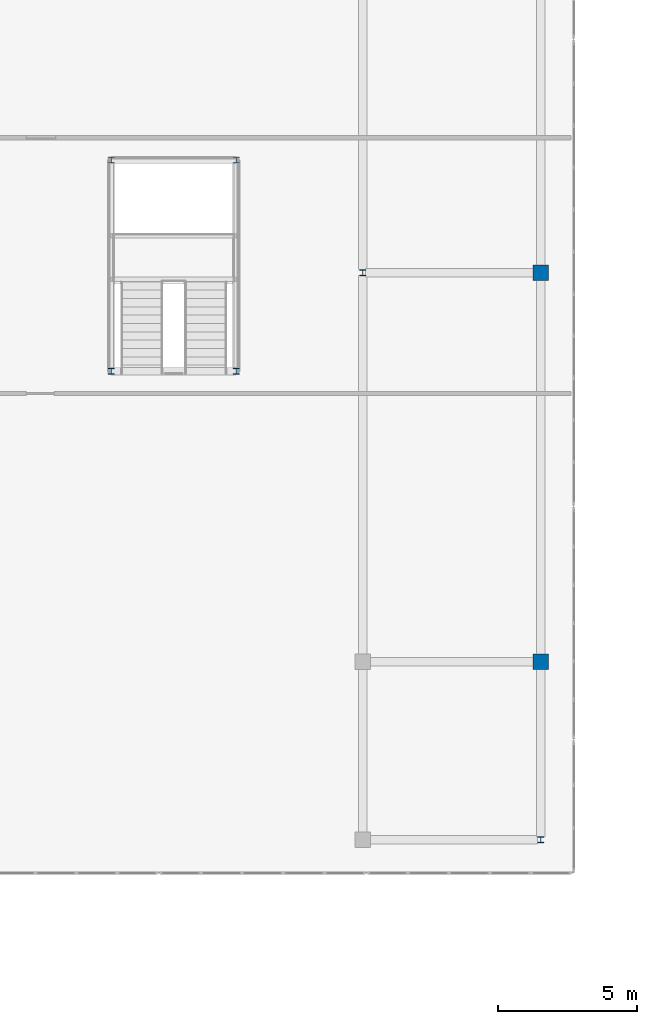
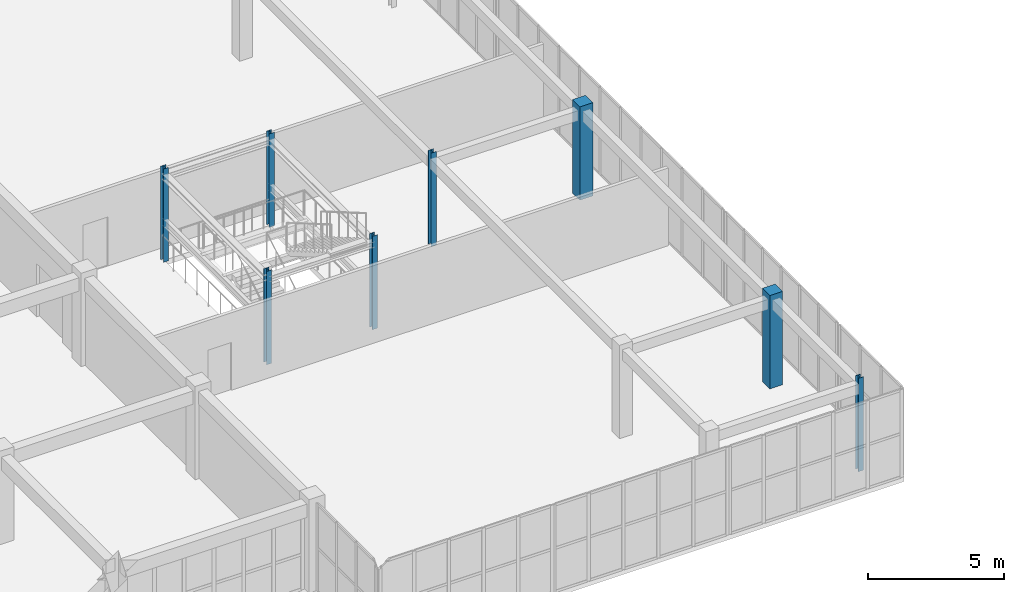
# One storey, part 6 of 140: 8 columns.
"""IFC4 building model written with IfcOpenShell, lengths in metres."""

from ifc_helpers import new_model, si_unit, direction, frame, origin, origin_2d, place, context, subcontext, project, spatial, rectangle, i_section, extrude, material, material_profile, profile_set, type_object, element, save


model = new_model("IFC4")

# Units and contexts
model_context = context("Model", 3, precision=1e-05, world=origin(), true_north=direction((0.0, 1.0)))
body_context = subcontext(model_context, "Body", "Model", "MODEL_VIEW")
ifc_project = project(units=[si_unit("LENGTHUNIT", "METRE"), si_unit("AREAUNIT", "SQUARE_METRE"), si_unit("VOLUMEUNIT", "CUBIC_METRE"), si_unit("PLANEANGLEUNIT", "RADIAN"), si_unit("MASSUNIT", "GRAM", prefix="KILO")], contexts=[model_context])

# Site, building, storey
site_placement = place(None, origin())
site = spatial("IfcSite", under=ifc_project, at=site_placement, CompositionType="ELEMENT")
building_placement = place(site_placement, origin())
building = spatial("IfcBuilding", under=site, at=building_placement, Name="Trelvath General Hospital", CompositionType="ELEMENT")
storey_placement = place(building_placement, frame((0.0, 0.0, 16.199951171875)))
storey = spatial("IfcBuildingStorey", under=building, at=storey_placement, Name="L04", CompositionType="ELEMENT", Elevation=16.199951171875)

# Columns
ifc_material_1 = material(Name="Concrete C40/50", Category="concrete")
ifc_material_profile_1 = material_profile(ifc_material_1, rectangle(XDim=0.550048828125, YDim=0.550048828125, at=origin_2d()), Name="RC550x550")
ifc_profile_set_1 = profile_set([ifc_material_profile_1], Name="Concrete C40/50")
column_type_1 = type_object("IfcColumnType", Name="Column RC550", PredefinedType="COLUMN", material=ifc_profile_set_1)
for number, where, z_axis, x_axis, name in (
    (1, (113.60009765625, 44.800048828125, 0.0), (0.0, 0.0, 1.0), (1.0, 0.0, 0.0), "Cube Interior Column CC-E07 L04"),
    (2, (113.60009765625, 58.800048828125, 0.0), (0.0, 0.0, 1.0), (1.0, 0.0, 0.0), "Cube Interior Column CC-E08 L04"),
):
    element("IfcColumn", number, at=place(storey_placement, frame(where, z_axis=z_axis, x_axis=x_axis)), inside=storey, type_object=column_type_1, Name=name, PredefinedType="COLUMN", context=body_context, shape_type="SweptSolid", body=[
        extrude(rectangle(XDim=0.550048828125, YDim=0.550048828125, at=origin_2d()), origin(), (0.0, 0.0, 1.0), 4.199951171875),
    ])
ifc_material_2 = material(Name="Steel S355", Category="steel")
ifc_material_profile_2 = material_profile(ifc_material_2, i_section(OverallWidth=0.219970703125, OverallDepth=0.219970703125, WebThickness=0.009521484375, FlangeThickness=0.01611328125, at=origin_2d()), Name="HEB220")
ifc_profile_set_2 = profile_set([ifc_material_profile_2], Name="Steel S355")
column_type_2 = type_object("IfcColumnType", Name="CubePost HEB220", PredefinedType="COLUMN", material=ifc_profile_set_2)
for number, where, z_axis, x_axis, name in (
    (3, (107.199951171875, 58.800048828125, 0.0), (0.0, 0.0, 1.0), (1.0, 0.0, 0.0), "Cube Interior Column CC-E03 L04"),
    (4, (113.60009765625, 38.39990234375, 0.0), (0.0, 0.0, 1.0), (1.0, 0.0, 0.0), "Cube Interior Column CC-E06 L04"),
):
    element("IfcColumn", number, at=place(storey_placement, frame(where, z_axis=z_axis, x_axis=x_axis)), inside=storey, type_object=column_type_2, Name=name, PredefinedType="COLUMN", context=body_context, shape_type="SweptSolid", body=[
        extrude(i_section(OverallWidth=0.219970703125, OverallDepth=0.219970703125, WebThickness=0.009521484375, FlangeThickness=0.01611328125, at=origin_2d()), origin(), (0.0, 0.0, 1.0), 4.199951171875),
    ])
ifc_material_3 = material(Name="Steel S355", Category="steel")
ifc_material_profile_3 = material_profile(ifc_material_3, i_section(OverallWidth=0.219970703125, OverallDepth=0.2099609375, WebThickness=0.007080078125, FlangeThickness=0.010986328125, at=origin_2d()), Name="HEA220")
ifc_profile_set_3 = profile_set([ifc_material_profile_3], Name="Steel S355")
column_type_3 = type_object("IfcColumnType", Name="StairPost HEA220", PredefinedType="COLUMN", material=ifc_profile_set_3)
for number, where, z_axis, x_axis, name in (
    (5, (98.14990234375, 55.25, 0.0), (0.0, 0.0, 1.0), (1.0, 0.0, 0.0), "Atrium Stair Post CUBE-E 1 L04"),
    (6, (102.64990234375, 55.25, 0.0), (0.0, 0.0, 1.0), (1.0, 0.0, 0.0), "Atrium Stair Post CUBE-E 2 L04"),
    (7, (98.14990234375, 62.85009765625, 0.0), (0.0, 0.0, 1.0), (1.0, 0.0, 0.0), "Atrium Stair Post CUBE-E 3 L04"),
    (8, (102.64990234375, 62.85009765625, 0.0), (0.0, 0.0, 1.0), (1.0, 0.0, 0.0), "Atrium Stair Post CUBE-E 4 L04"),
):
    element("IfcColumn", number, at=place(storey_placement, frame(where, z_axis=z_axis, x_axis=x_axis)), inside=storey, type_object=column_type_3, Name=name, PredefinedType="COLUMN", context=body_context, shape_type="SweptSolid", body=[
        extrude(i_section(OverallWidth=0.219970703125, OverallDepth=0.2099609375, WebThickness=0.007080078125, FlangeThickness=0.010986328125, at=origin_2d()), origin(), (0.0, 0.0, 1.0), 4.199951171875),
    ])

save(model, "model.ifc")
